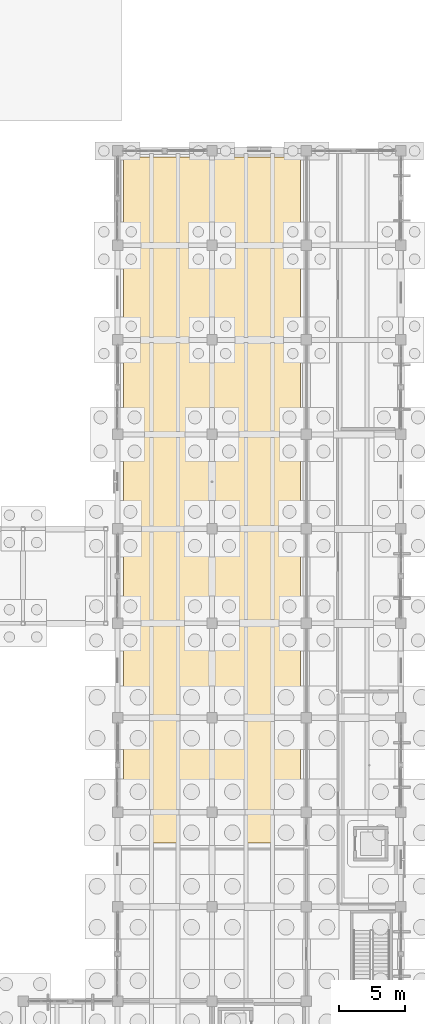
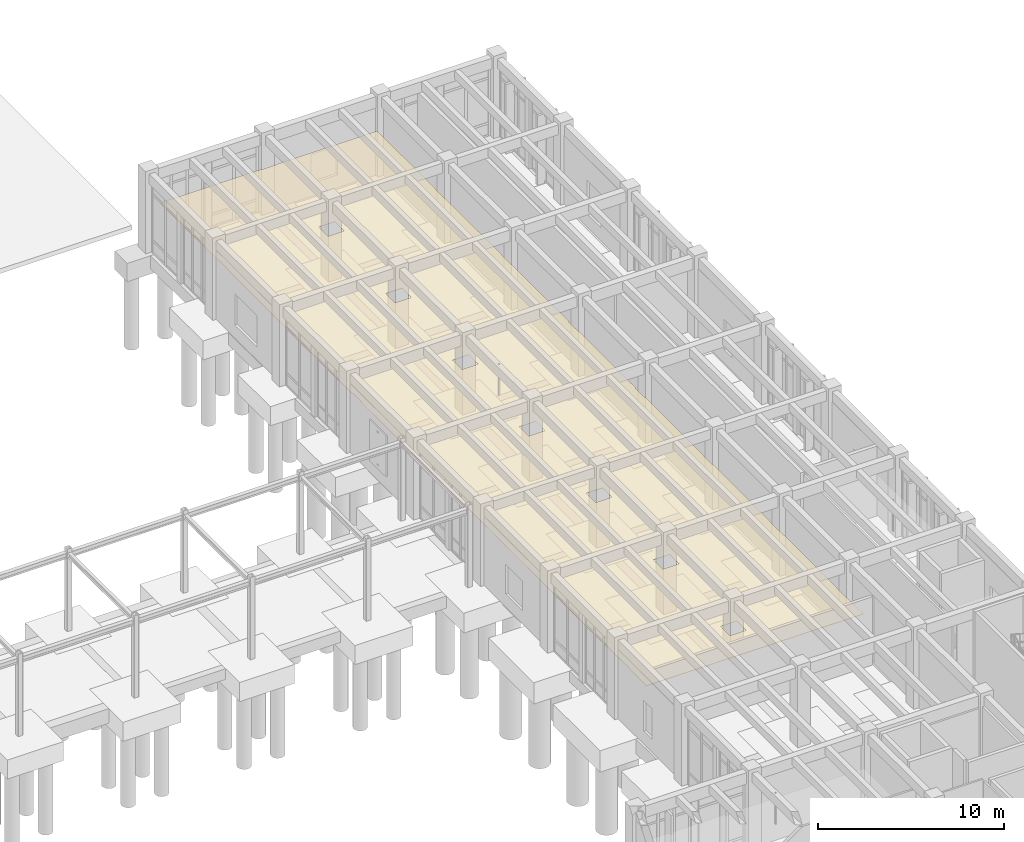
# One storey, part 92 of 93: 1 covering.
"""IFC4 building model written with IfcOpenShell, lengths in metres."""

from ifc_helpers import new_model, si_unit, direction, frame, origin, place, context, subcontext, project, spatial, polyline, outline, extrude, material, layer, layer_set, type_object, element, save


model = new_model("IFC4")

# Units and contexts
model_context = context("Model", 3, precision=1e-05, world=origin(), true_north=direction((0.0, 1.0)))
body_context = subcontext(model_context, "Body", "Model", "MODEL_VIEW")
ifc_project = project(units=[si_unit("LENGTHUNIT", "METRE"), si_unit("AREAUNIT", "SQUARE_METRE"), si_unit("VOLUMEUNIT", "CUBIC_METRE"), si_unit("PLANEANGLEUNIT", "RADIAN"), si_unit("MASSUNIT", "GRAM", prefix="KILO")], contexts=[model_context])

# Site, building, storey
site_placement = place(None, origin())
site = spatial("IfcSite", under=ifc_project, at=site_placement, CompositionType="ELEMENT")
building_placement = place(site_placement, origin())
building = spatial("IfcBuilding", under=site, at=building_placement, Name="Koriwan Promenade Central Fire Station", CompositionType="ELEMENT")
storey_placement = place(building_placement, origin())
storey = spatial("IfcBuildingStorey", under=building, at=storey_placement, Name="L00", CompositionType="ELEMENT", Elevation=0.0)

# Covering
ifc_material = material(Name="Mineral-fibre acoustic ceiling tile on suspended grid", Category="ceiling")
ifc_layer = layer(ifc_material, 0.02490234375, Name="Mineral-fibre acoustic ceiling tile on suspended grid")
ifc_layer_set = layer_set([ifc_layer], Name="Mineral-fibre acoustic ceiling tile on suspended grid")
covering_type = type_object("IfcCoveringType", Name="AcousticCeiling_Tile", PredefinedType="CEILING", material=ifc_layer_set)
covering_placement = place(storey_placement, frame((0.0, 0.0, 3.080078125)))
element("IfcCovering", 1, at=covering_placement, inside=storey, type_object=covering_type, Name="Hydrant Mapping and Engineering Office suspended acoustic ceiling", PredefinedType="CEILING", context=body_context, shape_type="SweptSolid", body=[
    extrude(outline(polyline([(165.1298828125, 78.699951171875), (165.1298828125, 72.5), (165.10009765625, 72.5), (165.10009765625, 71.5), (165.1298828125, 71.5), (165.1298828125, 65.300048828125), (165.10009765625, 65.300048828125), (165.10009765625, 64.300048828125), (165.1298828125, 64.300048828125), (165.1298828125, 58.10009765625), (165.10009765625, 58.10009765625), (165.10009765625, 57.10009765625), (165.1298828125, 57.10009765625), (165.1298828125, 50.89990234375), (165.10009765625, 50.89990234375), (165.10009765625, 49.89990234375), (165.1298828125, 49.89990234375), (165.1298828125, 43.699951171875), (165.10009765625, 43.699951171875), (165.10009765625, 42.699951171875), (165.1298828125, 42.699951171875), (165.1298828125, 36.5), (165.10009765625, 36.5), (165.10009765625, 35.5), (165.1298828125, 35.5), (165.1298828125, 29.300048828125), (165.10009765625, 29.300048828125), (165.10009765625, 28.300048828125), (165.1298828125, 28.300048828125), (165.1298828125, 26.469970703125), (151.669921875, 26.469970703125), (151.669921875, 28.300048828125), (151.699951171875, 28.300048828125), (151.699951171875, 29.300048828125), (151.669921875, 29.300048828125), (151.669921875, 35.5), (151.699951171875, 35.5), (151.699951171875, 36.5), (151.669921875, 36.5), (151.669921875, 42.699951171875), (151.699951171875, 42.699951171875), (151.699951171875, 43.699951171875), (151.669921875, 43.699951171875), (151.669921875, 49.89990234375), (151.699951171875, 49.89990234375), (151.699951171875, 50.89990234375), (151.669921875, 50.89990234375), (151.669921875, 57.10009765625), (151.699951171875, 57.10009765625), (151.699951171875, 58.10009765625), (151.669921875, 58.10009765625), (151.669921875, 64.300048828125), (151.699951171875, 64.300048828125), (151.699951171875, 65.300048828125), (151.669921875, 65.300048828125), (151.669921875, 71.5), (151.699951171875, 71.5), (151.699951171875, 72.5), (151.669921875, 72.5), (151.669921875, 78.699951171875), (151.699951171875, 78.699951171875), (151.699951171875, 78.72998046875), (157.89990234375, 78.72998046875), (157.89990234375, 78.699951171875), (158.89990234375, 78.699951171875), (158.89990234375, 78.72998046875), (165.10009765625, 78.72998046875), (165.10009765625, 78.699951171875), (165.1298828125, 78.699951171875)]), holes=[polyline([(158.89990234375, 28.300048828125), (158.89990234375, 29.300048828125), (157.89990234375, 29.300048828125), (157.89990234375, 28.300048828125), (158.89990234375, 28.300048828125)]), polyline([(157.89990234375, 35.5), (158.89990234375, 35.5), (158.89990234375, 36.5), (157.89990234375, 36.5), (157.89990234375, 35.5)]), polyline([(157.89990234375, 43.699951171875), (157.89990234375, 42.699951171875), (158.89990234375, 42.699951171875), (158.89990234375, 43.699951171875), (157.89990234375, 43.699951171875)]), polyline([(158.89990234375, 50.89990234375), (157.89990234375, 50.89990234375), (157.89990234375, 49.89990234375), (158.89990234375, 49.89990234375), (158.89990234375, 50.89990234375)]), polyline([(158.89990234375, 57.10009765625), (158.89990234375, 58.10009765625), (157.89990234375, 58.10009765625), (157.89990234375, 57.10009765625), (158.89990234375, 57.10009765625)]), polyline([(157.89990234375, 64.300048828125), (158.89990234375, 64.300048828125), (158.89990234375, 65.300048828125), (157.89990234375, 65.300048828125), (157.89990234375, 64.300048828125)]), polyline([(157.89990234375, 72.5), (157.89990234375, 71.5), (158.89990234375, 71.5), (158.89990234375, 72.5), (157.89990234375, 72.5)])]), origin(), (0.0, 0.0, 1.0), 0.02490234375),
])

save(model, "model.ifc")
